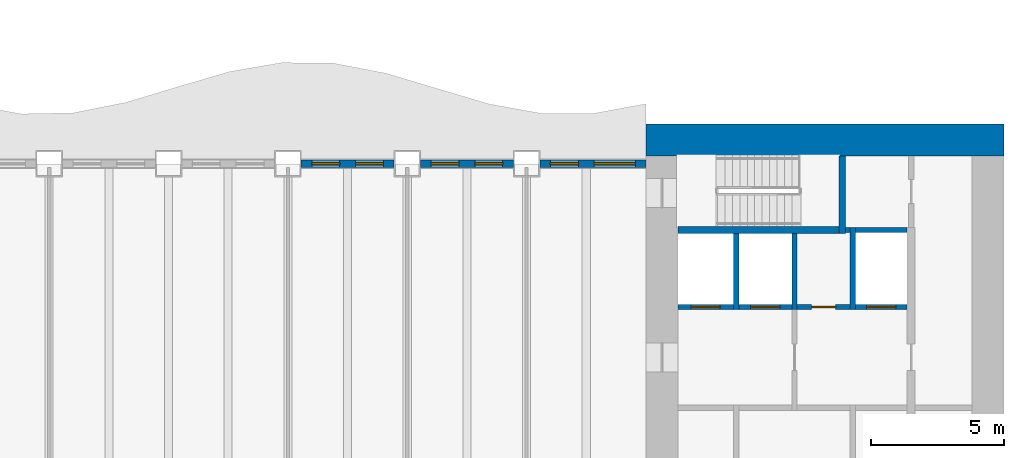
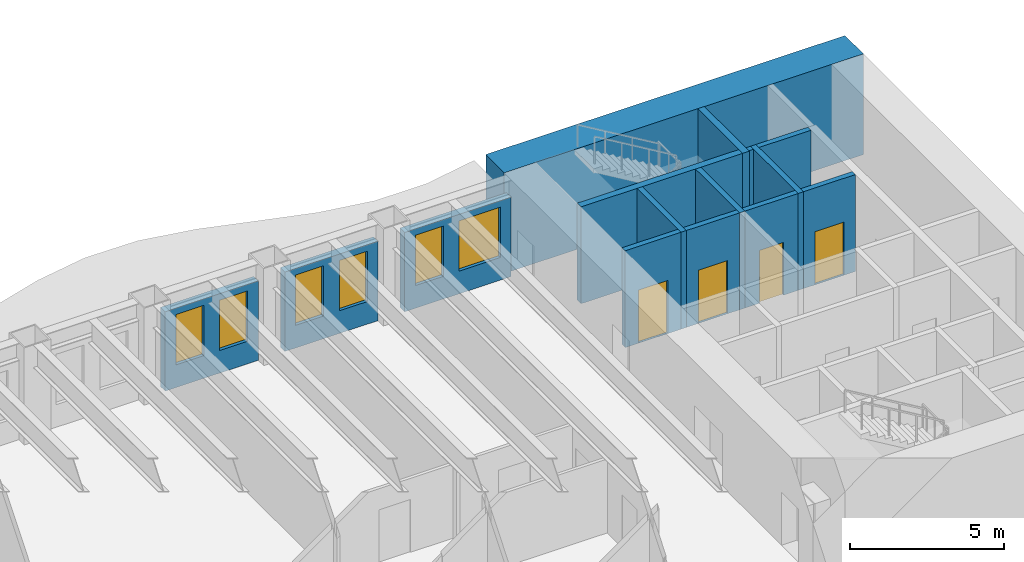
# One storey, part 7 of 16: 15 walls, 6 windows, 4 doors, 10 openings.
"""IFC4 building model written with IfcOpenShell, lengths in metres."""

from ifc_helpers import new_model, si_unit, direction, frame, frame_2d, origin, place, context, subcontext, project, spatial, rectangle, extrude, material, layer, layer_set, type_object, element, fill, save


model = new_model("IFC4")

# Units and contexts
model_context = context("Model", 3, precision=1e-05, world=origin(), true_north=direction((0.0, 1.0)))
body_context = subcontext(model_context, "Body", "Model", "MODEL_VIEW")
ifc_project = project(units=[si_unit("LENGTHUNIT", "METRE"), si_unit("AREAUNIT", "SQUARE_METRE"), si_unit("VOLUMEUNIT", "CUBIC_METRE"), si_unit("PLANEANGLEUNIT", "RADIAN"), si_unit("MASSUNIT", "GRAM", prefix="KILO")], contexts=[model_context])

# Site, building, storey
site_placement = place(None, origin())
site = spatial("IfcSite", under=ifc_project, at=site_placement, CompositionType="ELEMENT")
building_placement = place(site_placement, origin())
building = spatial("IfcBuilding", under=site, at=building_placement, Name="Sennacour Bend Tower", CompositionType="ELEMENT")
storey_placement = place(building_placement, frame((0.0, 0.0, 103.0)))
storey = spatial("IfcBuildingStorey", under=building, at=storey_placement, Name="L23", CompositionType="ELEMENT", Elevation=103.0)

# Wall
ifc_material_1 = material(Name="Concrete C80/95", Category="concrete")
ifc_layer_1 = layer(ifc_material_1, 1.199951171875, Name="Concrete C80/95", Category="concrete")
ifc_layer_set_1 = layer_set([ifc_layer_1], Name="Concrete C80/95")
wall_type_1 = type_object("IfcWallType", Name="Core wall 1200 C80/95", PredefinedType="SHEAR", material=ifc_layer_set_1)
wall_1_placement = place(storey_placement, frame((54.0, 21.89990234375, -0.14990234375), z_axis=(0.0, 0.0, 1.0), x_axis=(1.0, 0.0, 0.0)))
element("IfcWall", 1, at=wall_1_placement, inside=storey, type_object=wall_type_1, Name="Core A wall L23 N", PredefinedType="SHEAR", context=body_context, shape_type="SweptSolid", body=[
    extrude(rectangle(XDim=13.5, YDim=1.199951171875, at=frame_2d((6.75, 0.0))), origin(), (0.0, 0.0, 1.0), 4.0),
])

# Wall, opening, door
ifc_material_2 = material(Name="Fire-rated plasterboard partition on steel studs", Category="steel")
ifc_layer_2 = layer(ifc_material_2, 0.199951171875, Name="Fire-rated plasterboard partition on steel studs", Category="steel")
ifc_layer_set_2 = layer_set([ifc_layer_2], Name="Fire-rated plasterboard partition on steel studs")
wall_type_2 = type_object("IfcWallType", Name="Rated partition 200", PredefinedType="PARTITIONING", material=ifc_layer_set_2)
wall_2_placement = place(storey_placement, frame((59.699951171875, 15.60009765625, 0.0), z_axis=(0.0, 0.0, 1.0), x_axis=(1.0, 0.0, 0.0)))
wall_2 = element("IfcWall", 2, at=wall_2_placement, inside=storey, type_object=wall_type_2, Name="P-L23-W066", PredefinedType="PARTITIONING", context=body_context, shape_type="SweptSolid", body=[
    extrude(rectangle(XDim=2.0, YDim=0.199951171875, at=frame_2d((1.0, 0.0))), origin(), (0.0, 0.0, 1.0), 3.85009765625),
])
opening_1_placement = place(wall_2_placement, frame((0.550048828125, 0.0, 0.0)))
opening_1 = element("IfcOpeningElement", 3, at=opening_1_placement, cuts=wall_2, Name="Opening SV", PredefinedType="OPENING", context=body_context, shape_type="SweptSolid", body=[
    extrude(rectangle(XDim=0.89990234375, YDim=2.10009765625, at=frame_2d((0.449951171875, 1.050048828125))), frame((0.0, 0.10986328125, 0.0), z_axis=(0.0, -1.0, 0.0), x_axis=(1.0, 0.0, 0.0)), (0.0, 0.0, 1.0), 0.219970703125),
])
ifc_material_3 = material(Name="Painted steel", Category="steel")
door_type_1 = type_object("IfcDoorType", Name="DR-SERVICE-900", OperationType="NOTDEFINED", PredefinedType="DOOR", material=ifc_material_3)
door_1_placement = place(opening_1_placement, origin())
door_1 = element("IfcDoor", 4, at=door_1_placement, inside=storey, type_object=door_type_1, Name="Door", OperationType="SINGLE_SWING_RIGHT", OverallHeight=2.10009765625, OverallWidth=0.89990234375, PredefinedType="DOOR", context=body_context, shape_type="SweptSolid", body=[
    extrude(rectangle(XDim=0.89990234375, YDim=2.10009765625, at=frame_2d((0.449951171875, 1.050048828125))), frame((0.0, 0.02490234375, 0.0), z_axis=(0.0, -1.0, 0.0), x_axis=(1.0, 0.0, 0.0)), (0.0, 0.0, 1.0), 0.050048828125),
])
fill(opening_1, door_1)

# Wall
wall_3_placement = place(storey_placement, frame((61.52490234375, 18.5, 0.0), z_axis=(0.0, 0.0, 1.0), x_axis=(1.0, 0.0, 0.0)))
element("IfcWall", 5, at=wall_3_placement, inside=storey, type_object=wall_type_2, Name="P-L23-W069", PredefinedType="PARTITIONING", context=body_context, shape_type="SweptSolid", body=[
    extrude(rectangle(XDim=0.175048828125, YDim=0.199951171875, at=frame_2d((0.08740234375, 0.0))), origin(), (0.0, 0.0, 1.0), 3.85009765625),
])

# Wall, openings, windows
ifc_material_4 = material(Name="Warm limestone cladding", Category="masonry")
ifc_layer_3 = layer(ifc_material_4, 0.050048828125, Name="Warm limestone cladding", Category="masonry")
ifc_material_5 = material(Name="Precast concrete C40/50", Category="concrete")
ifc_layer_4 = layer(ifc_material_5, 0.25, Name="Precast concrete C40/50", Category="concrete")
ifc_layer_set_3 = layer_set([ifc_layer_3, ifc_layer_4], Name="Precast concrete C40/50 with limestone cladding")
wall_type_3 = type_object("IfcWallType", Name="STONE-CLAD PRECAST SPANDREL 300", PredefinedType="STANDARD", material=ifc_layer_set_3)
wall_4_placement = place(storey_placement, frame((54.0, 21.0, 0.0), z_axis=(0.0, 0.0, 1.0), x_axis=(-1.0, 0.0, 0.0)))
wall_4 = element("IfcWall", 6, at=wall_4_placement, inside=storey, type_object=wall_type_3, Name="Stone spandrel and pier wall L23 06.00", PredefinedType="STANDARD", context=body_context, shape_type="SweptSolid", body=[
    extrude(rectangle(XDim=4.0, YDim=0.300048828125, at=frame_2d((2.0, 0.0))), origin(), (0.0, 0.0, 1.0), 3.154052734375),
])
opening_2_placement = place(wall_4_placement, frame((0.39990234375, 0.0, 0.89990234375)))
opening_2 = element("IfcOpeningElement", 7, at=opening_2_placement, cuts=wall_4, Name="Opening W9", PredefinedType="OPENING", context=body_context, shape_type="SweptSolid", body=[
    extrude(rectangle(XDim=1.550048828125, YDim=2.0, at=frame_2d((0.77490234375, 1.0))), frame((0.0, 0.16015625, 0.0), z_axis=(0.0, -1.0, 0.0), x_axis=(1.0, 0.0, 0.0)), (0.0, 0.0, 1.0), 0.320068359375),
])
opening_3_placement = place(wall_4_placement, frame((2.550048828125, 0.0, 0.89990234375)))
opening_3 = element("IfcOpeningElement", 8, at=opening_3_placement, cuts=wall_4, Name="Opening W13", PredefinedType="OPENING", context=body_context, shape_type="SweptSolid", body=[
    extrude(rectangle(XDim=1.050048828125, YDim=2.0, at=frame_2d((0.52490234375, 1.0))), frame((0.0, 0.16015625, 0.0), z_axis=(0.0, -1.0, 0.0), x_axis=(1.0, 0.0, 0.0)), (0.0, 0.0, 1.0), 0.320068359375),
])
ifc_material_6 = material(Name="Clear low-emissivity glass", Category="glass")
window_type_1 = type_object("IfcWindowType", Name="WIN-RIBBON-1050x2000", PartitioningType="SINGLE_PANEL", PredefinedType="WINDOW", material=ifc_material_6)
window_1_placement = place(opening_3_placement, origin())
window_1 = element("IfcWindow", 9, at=window_1_placement, inside=storey, type_object=window_type_1, Name="Ribbon window L23 06.00.1", OverallHeight=2.0, OverallWidth=1.050048828125, PartitioningType="SINGLE_PANEL", PredefinedType="WINDOW", context=body_context, shape_type="SweptSolid", body=[
    extrude(rectangle(XDim=1.050048828125, YDim=2.0, at=frame_2d((0.52490234375, 1.0))), frame((0.0, 0.030029296875, 0.0), z_axis=(0.0, -1.0, 0.0), x_axis=(1.0, 0.0, 0.0)), (0.0, 0.0, 1.0), 0.06005859375),
])
fill(opening_3, window_1)
window_type_2 = type_object("IfcWindowType", Name="WIN-RIBBON-1550x2000", PartitioningType="SINGLE_PANEL", PredefinedType="WINDOW", material=ifc_material_6)
window_2_placement = place(opening_2_placement, origin())
window_2 = element("IfcWindow", 10, at=window_2_placement, inside=storey, type_object=window_type_2, Name="Ribbon window L23 06.00.0", OverallHeight=2.0, OverallWidth=1.550048828125, PartitioningType="SINGLE_PANEL", PredefinedType="WINDOW", context=body_context, shape_type="SweptSolid", body=[
    extrude(rectangle(XDim=1.550048828125, YDim=2.0, at=frame_2d((0.77490234375, 1.0))), frame((0.0, 0.030029296875, 0.0), z_axis=(0.0, -1.0, 0.0), x_axis=(1.0, 0.0, 0.0)), (0.0, 0.0, 1.0), 0.06005859375),
])
fill(opening_2, window_2)

wall_5_placement = place(storey_placement, frame((49.0, 21.0, 0.0), z_axis=(0.0, 0.0, 1.0), x_axis=(-1.0, 0.0, 0.0)))
wall_5 = element("IfcWall", 11, at=wall_5_placement, inside=storey, type_object=wall_type_3, Name="Stone spandrel and pier wall L23 06.01", PredefinedType="STANDARD", context=body_context, shape_type="SweptSolid", body=[
    extrude(rectangle(XDim=3.5, YDim=0.300048828125, at=frame_2d((1.75, 0.0))), origin(), (0.0, 0.0, 1.0), 3.154052734375),
])
opening_4_placement = place(wall_5_placement, frame((0.39990234375, 0.0, 0.89990234375)))
opening_4 = element("IfcOpeningElement", 12, at=opening_4_placement, cuts=wall_5, Name="Opening W13", PredefinedType="OPENING", context=body_context, shape_type="SweptSolid", body=[
    extrude(rectangle(XDim=1.050048828125, YDim=2.0, at=frame_2d((0.52490234375, 1.0))), frame((0.0, 0.16015625, 0.0), z_axis=(0.0, -1.0, 0.0), x_axis=(1.0, 0.0, 0.0)), (0.0, 0.0, 1.0), 0.320068359375),
])
opening_5_placement = place(wall_5_placement, frame((2.050048828125, 0.0, 0.89990234375)))
opening_5 = element("IfcOpeningElement", 13, at=opening_5_placement, cuts=wall_5, Name="Opening W13", PredefinedType="OPENING", context=body_context, shape_type="SweptSolid", body=[
    extrude(rectangle(XDim=1.050048828125, YDim=2.0, at=frame_2d((0.52490234375, 1.0))), frame((0.0, 0.16015625, 0.0), z_axis=(0.0, -1.0, 0.0), x_axis=(1.0, 0.0, 0.0)), (0.0, 0.0, 1.0), 0.320068359375),
])
window_3_placement = place(opening_4_placement, origin())
window_3 = element("IfcWindow", 14, at=window_3_placement, inside=storey, type_object=window_type_1, Name="Ribbon window L23 06.01.0", OverallHeight=2.0, OverallWidth=1.050048828125, PartitioningType="SINGLE_PANEL", PredefinedType="WINDOW", context=body_context, shape_type="SweptSolid", body=[
    extrude(rectangle(XDim=1.050048828125, YDim=2.0, at=frame_2d((0.52490234375, 1.0))), frame((0.0, 0.030029296875, 0.0), z_axis=(0.0, -1.0, 0.0), x_axis=(1.0, 0.0, 0.0)), (0.0, 0.0, 1.0), 0.06005859375),
])
fill(opening_4, window_3)
window_4_placement = place(opening_5_placement, origin())
window_4 = element("IfcWindow", 15, at=window_4_placement, inside=storey, type_object=window_type_1, Name="Ribbon window L23 06.01.1", OverallHeight=2.0, OverallWidth=1.050048828125, PartitioningType="SINGLE_PANEL", PredefinedType="WINDOW", context=body_context, shape_type="SweptSolid", body=[
    extrude(rectangle(XDim=1.050048828125, YDim=2.0, at=frame_2d((0.52490234375, 1.0))), frame((0.0, 0.030029296875, 0.0), z_axis=(0.0, -1.0, 0.0), x_axis=(1.0, 0.0, 0.0)), (0.0, 0.0, 1.0), 0.06005859375),
])
fill(opening_5, window_4)

wall_6_placement = place(storey_placement, frame((44.5, 21.0, 0.0), z_axis=(0.0, 0.0, 1.0), x_axis=(-1.0, 0.0, 0.0)))
wall_6 = element("IfcWall", 16, at=wall_6_placement, inside=storey, type_object=wall_type_3, Name="Stone spandrel and pier wall L23 06.02", PredefinedType="STANDARD", context=body_context, shape_type="SweptSolid", body=[
    extrude(rectangle(XDim=3.5, YDim=0.300048828125, at=frame_2d((1.75, 0.0))), origin(), (0.0, 0.0, 1.0), 3.154052734375),
])
opening_6_placement = place(wall_6_placement, frame((0.39990234375, 0.0, 0.89990234375)))
opening_6 = element("IfcOpeningElement", 17, at=opening_6_placement, cuts=wall_6, Name="Opening W13", PredefinedType="OPENING", context=body_context, shape_type="SweptSolid", body=[
    extrude(rectangle(XDim=1.050048828125, YDim=2.0, at=frame_2d((0.52490234375, 1.0))), frame((0.0, 0.16015625, 0.0), z_axis=(0.0, -1.0, 0.0), x_axis=(1.0, 0.0, 0.0)), (0.0, 0.0, 1.0), 0.320068359375),
])
opening_7_placement = place(wall_6_placement, frame((2.050048828125, 0.0, 0.89990234375)))
opening_7 = element("IfcOpeningElement", 18, at=opening_7_placement, cuts=wall_6, Name="Opening W13", PredefinedType="OPENING", context=body_context, shape_type="SweptSolid", body=[
    extrude(rectangle(XDim=1.050048828125, YDim=2.0, at=frame_2d((0.52490234375, 1.0))), frame((0.0, 0.16015625, 0.0), z_axis=(0.0, -1.0, 0.0), x_axis=(1.0, 0.0, 0.0)), (0.0, 0.0, 1.0), 0.320068359375),
])
window_5_placement = place(opening_6_placement, origin())
window_5 = element("IfcWindow", 19, at=window_5_placement, inside=storey, type_object=window_type_1, Name="Ribbon window L23 06.02.0", OverallHeight=2.0, OverallWidth=1.050048828125, PartitioningType="SINGLE_PANEL", PredefinedType="WINDOW", context=body_context, shape_type="SweptSolid", body=[
    extrude(rectangle(XDim=1.050048828125, YDim=2.0, at=frame_2d((0.52490234375, 1.0))), frame((0.0, 0.030029296875, 0.0), z_axis=(0.0, -1.0, 0.0), x_axis=(1.0, 0.0, 0.0)), (0.0, 0.0, 1.0), 0.06005859375),
])
fill(opening_6, window_5)
window_6_placement = place(opening_7_placement, origin())
window_6 = element("IfcWindow", 20, at=window_6_placement, inside=storey, type_object=window_type_1, Name="Ribbon window L23 06.02.1", OverallHeight=2.0, OverallWidth=1.050048828125, PartitioningType="SINGLE_PANEL", PredefinedType="WINDOW", context=body_context, shape_type="SweptSolid", body=[
    extrude(rectangle(XDim=1.050048828125, YDim=2.0, at=frame_2d((0.52490234375, 1.0))), frame((0.0, 0.030029296875, 0.0), z_axis=(0.0, -1.0, 0.0), x_axis=(1.0, 0.0, 0.0)), (0.0, 0.0, 1.0), 0.06005859375),
])
fill(opening_7, window_6)

# Walls
ifc_material_7 = material(Name="Concrete C50/60", Category="concrete")
ifc_layer_5 = layer(ifc_material_7, 0.199951171875, Name="Concrete C50/60", Category="concrete")
ifc_layer_set_4 = layer_set([ifc_layer_5], Name="Concrete C50/60")
wall_type_4 = type_object("IfcWallType", Name="Shaft wall 200", PredefinedType="SOLIDWALL", material=ifc_layer_set_4)
for number, where, z_axis, x_axis, name in (
    (21, (57.39990234375, 15.5, 0.0), (0.0, 0.0, 1.0), (0.0, 1.0, 0.0), "P-L23-W037"),
    (22, (59.60009765625, 15.5, 0.0), (0.0, 0.0, 1.0), (0.0, 1.0, 0.0), "P-L23-W040"),
):
    element("IfcWall", number, at=place(storey_placement, frame(where, z_axis=z_axis, x_axis=x_axis)), inside=storey, type_object=wall_type_4, Name=name, PredefinedType="SOLIDWALL", context=body_context, shape_type="SweptSolid", body=[
        extrude(rectangle(XDim=2.875, YDim=0.199951171875, at=frame_2d((1.4375, 0.0))), origin(), (0.0, 0.0, 1.0), 3.85009765625),
    ])
wall_7_placement = place(storey_placement, frame((61.800048828125, 15.5, 0.0), z_axis=(0.0, 0.0, 1.0), x_axis=(0.0, 1.0, 0.0)))
element("IfcWall", 23, at=wall_7_placement, inside=storey, type_object=wall_type_4, Name="P-L23-W045", PredefinedType="SOLIDWALL", context=body_context, shape_type="SweptSolid", body=[
    extrude(rectangle(XDim=3.10009765625, YDim=0.199951171875, at=frame_2d((1.550048828125, 0.0))), origin(), (0.0, 0.0, 1.0), 3.85009765625),
])

# Wall, opening, door
wall_8_placement = place(storey_placement, frame((55.199951171875, 15.60009765625, 0.0), z_axis=(0.0, 0.0, 1.0), x_axis=(1.0, 0.0, 0.0)))
wall_8 = element("IfcWall", 24, at=wall_8_placement, inside=storey, type_object=wall_type_4, Name="P-L23-W065a", PredefinedType="SOLIDWALL", context=body_context, shape_type="SweptSolid", body=[
    extrude(rectangle(XDim=2.10009765625, YDim=0.199951171875, at=frame_2d((1.050048828125, 0.0))), origin(), (0.0, 0.0, 1.0), 3.85009765625),
])
opening_8_placement = place(wall_8_placement, frame((0.5, 0.0, 0.011962890625)))
opening_8 = element("IfcOpeningElement", 25, at=opening_8_placement, cuts=wall_8, Name="Opening FLD", PredefinedType="OPENING", context=body_context, shape_type="SweptSolid", body=[
    extrude(rectangle(XDim=1.10009765625, YDim=2.10009765625, at=frame_2d((0.550048828125, 1.050048828125))), frame((0.0, 0.10986328125, 0.0), z_axis=(0.0, -1.0, 0.0), x_axis=(1.0, 0.0, 0.0)), (0.0, 0.0, 1.0), 0.219970703125),
])
ifc_material_8 = material(Name="Stainless steel", Category="steel")
door_type_2 = type_object("IfcDoorType", Name="DR-FF-LANDING-1100", OperationType="NOTDEFINED", PredefinedType="DOOR", material=ifc_material_8)
door_2_placement = place(opening_8_placement, origin())
door_2 = element("IfcDoor", 26, at=door_2_placement, inside=storey, type_object=door_type_2, Name="Fire service lift landing door FA1", OperationType="SLIDING_TO_LEFT", OverallHeight=2.10009765625, OverallWidth=1.10009765625, PredefinedType="DOOR", context=body_context, shape_type="SweptSolid", body=[
    extrude(rectangle(XDim=1.10009765625, YDim=2.10009765625, at=frame_2d((0.550048828125, 1.050048828125))), frame((0.0, 0.02490234375, 0.0), z_axis=(0.0, -1.0, 0.0), x_axis=(1.0, 0.0, 0.0)), (0.0, 0.0, 1.0), 0.050048828125),
])
fill(opening_8, door_2)

wall_9_placement = place(storey_placement, frame((57.5, 15.60009765625, 0.0), z_axis=(0.0, 0.0, 1.0), x_axis=(1.0, 0.0, 0.0)))
wall_9 = element("IfcWall", 27, at=wall_9_placement, inside=storey, type_object=wall_type_4, Name="P-L23-W065b", PredefinedType="SOLIDWALL", context=body_context, shape_type="SweptSolid", body=[
    extrude(rectangle(XDim=2.0, YDim=0.199951171875, at=frame_2d((1.0, 0.0))), origin(), (0.0, 0.0, 1.0), 3.85009765625),
])
opening_9_placement = place(wall_9_placement, frame((0.449951171875, 0.0, 0.011962890625)))
opening_9 = element("IfcOpeningElement", 28, at=opening_9_placement, cuts=wall_9, Name="Opening FLD", PredefinedType="OPENING", context=body_context, shape_type="SweptSolid", body=[
    extrude(rectangle(XDim=1.10009765625, YDim=2.10009765625, at=frame_2d((0.550048828125, 1.050048828125))), frame((0.0, 0.10986328125, 0.0), z_axis=(0.0, -1.0, 0.0), x_axis=(1.0, 0.0, 0.0)), (0.0, 0.0, 1.0), 0.219970703125),
])
door_3_placement = place(opening_9_placement, origin())
door_3 = element("IfcDoor", 29, at=door_3_placement, inside=storey, type_object=door_type_2, Name="Fire service lift landing door FA2", OperationType="SLIDING_TO_RIGHT", OverallHeight=2.10009765625, OverallWidth=1.10009765625, PredefinedType="DOOR", context=body_context, shape_type="SweptSolid", body=[
    extrude(rectangle(XDim=1.10009765625, YDim=2.10009765625, at=frame_2d((0.550048828125, 1.050048828125))), frame((0.0, 0.02490234375, 0.0), z_axis=(0.0, -1.0, 0.0), x_axis=(1.0, 0.0, 0.0)), (0.0, 0.0, 1.0), 0.050048828125),
])
fill(opening_9, door_3)

wall_10_placement = place(storey_placement, frame((61.89990234375, 15.60009765625, 0.0), z_axis=(0.0, 0.0, 1.0), x_axis=(1.0, 0.0, 0.0)))
wall_10 = element("IfcWall", 30, at=wall_10_placement, inside=storey, type_object=wall_type_4, Name="P-L23-W067", PredefinedType="SOLIDWALL", context=body_context, shape_type="SweptSolid", body=[
    extrude(rectangle(XDim=1.9501953125, YDim=0.199951171875, at=frame_2d((0.97509765625, 0.0))), origin(), (0.0, 0.0, 1.0), 3.85009765625),
])
opening_10_placement = place(wall_10_placement, frame((0.425048828125, 0.0, 0.011962890625)))
opening_10 = element("IfcOpeningElement", 31, at=opening_10_placement, cuts=wall_10, Name="Opening LD", PredefinedType="OPENING", context=body_context, shape_type="SweptSolid", body=[
    extrude(rectangle(XDim=1.10009765625, YDim=2.10009765625, at=frame_2d((0.550048828125, 1.050048828125))), frame((0.0, 0.10986328125, 0.0), z_axis=(0.0, -1.0, 0.0), x_axis=(1.0, 0.0, 0.0)), (0.0, 0.0, 1.0), 0.219970703125),
])
door_type_3 = type_object("IfcDoorType", Name="DR-LANDING-1100", OperationType="NOTDEFINED", PredefinedType="DOOR", material=ifc_material_8)
door_4_placement = place(opening_10_placement, origin())
door_4 = element("IfcDoor", 32, at=door_4_placement, inside=storey, type_object=door_type_3, Name="Lift landing door LA5", OperationType="SLIDING_TO_LEFT", OverallHeight=2.10009765625, OverallWidth=1.10009765625, PredefinedType="DOOR", context=body_context, shape_type="SweptSolid", body=[
    extrude(rectangle(XDim=1.10009765625, YDim=2.10009765625, at=frame_2d((0.550048828125, 1.050048828125))), frame((0.0, 0.02490234375, 0.0), z_axis=(0.0, -1.0, 0.0), x_axis=(1.0, 0.0, 0.0)), (0.0, 0.0, 1.0), 0.050048828125),
])
fill(opening_10, door_4)

# Walls
wall_11_placement = place(storey_placement, frame((61.89990234375, 18.5, 0.0), z_axis=(0.0, 0.0, 1.0), x_axis=(1.0, 0.0, 0.0)))
element("IfcWall", 33, at=wall_11_placement, inside=storey, type_object=wall_type_4, Name="P-L23-W070", PredefinedType="SOLIDWALL", context=body_context, shape_type="SweptSolid", body=[
    extrude(rectangle(XDim=1.9501953125, YDim=0.199951171875, at=frame_2d((0.97509765625, 0.0))), origin(), (0.0, 0.0, 1.0), 3.85009765625),
])
ifc_material_9 = material(Name="Concrete C60/75", Category="concrete")
ifc_layer_6 = layer(ifc_material_9, 0.25, Name="Concrete C60/75", Category="concrete")
ifc_layer_set_5 = layer_set([ifc_layer_6], Name="Concrete C60/75")
wall_type_5 = type_object("IfcWallType", Name="Stair wall 250", PredefinedType="SHEAR", material=ifc_layer_set_5)
wall_12_placement = place(storey_placement, frame((61.39990234375, 18.375, 0.0), z_axis=(0.0, 0.0, 1.0), x_axis=(0.0, 1.0, 0.0)))
element("IfcWall", 34, at=wall_12_placement, inside=storey, type_object=wall_type_5, Name="P-L23-W042", PredefinedType="SHEAR", context=body_context, shape_type="SweptSolid", body=[
    extrude(rectangle(XDim=2.925048828125, YDim=0.25, at=frame_2d((1.46240234375, 0.0))), origin(), (0.0, 0.0, 1.0), 3.85009765625),
])
wall_13_placement = place(storey_placement, frame((55.199951171875, 18.5, 0.0), z_axis=(0.0, 0.0, 1.0), x_axis=(1.0, 0.0, 0.0)))
element("IfcWall", 35, at=wall_13_placement, inside=storey, type_object=wall_type_5, Name="P-L23-W068", PredefinedType="SHEAR", context=body_context, shape_type="SweptSolid", body=[
    extrude(rectangle(XDim=6.074951171875, YDim=0.25, at=frame_2d((3.03759765625, 0.0))), origin(), (0.0, 0.0, 1.0), 3.85009765625),
])

save(model, "model.ifc")
